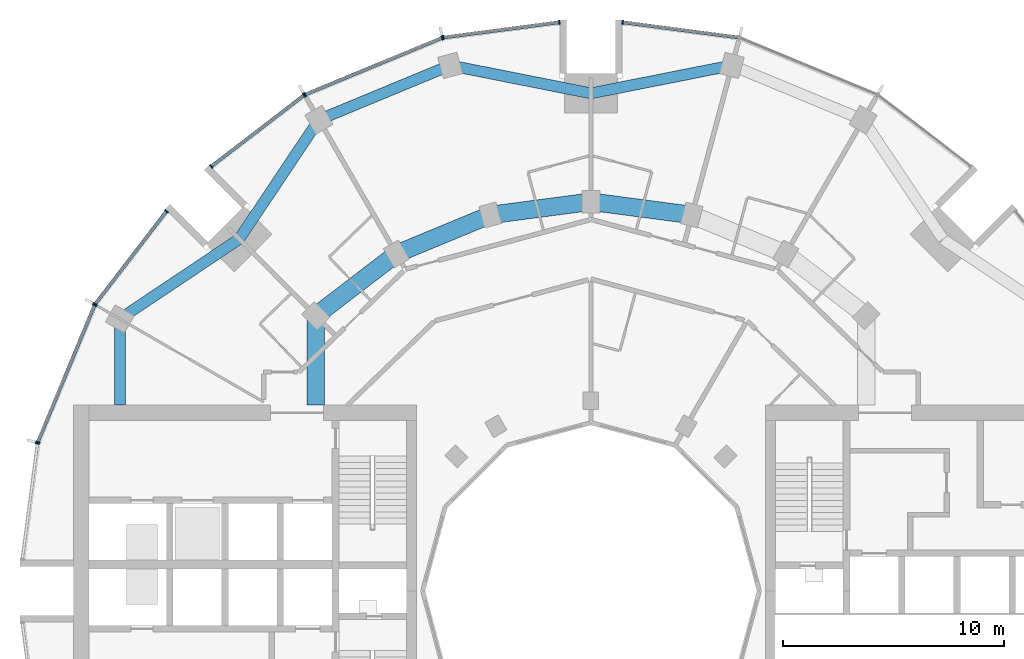
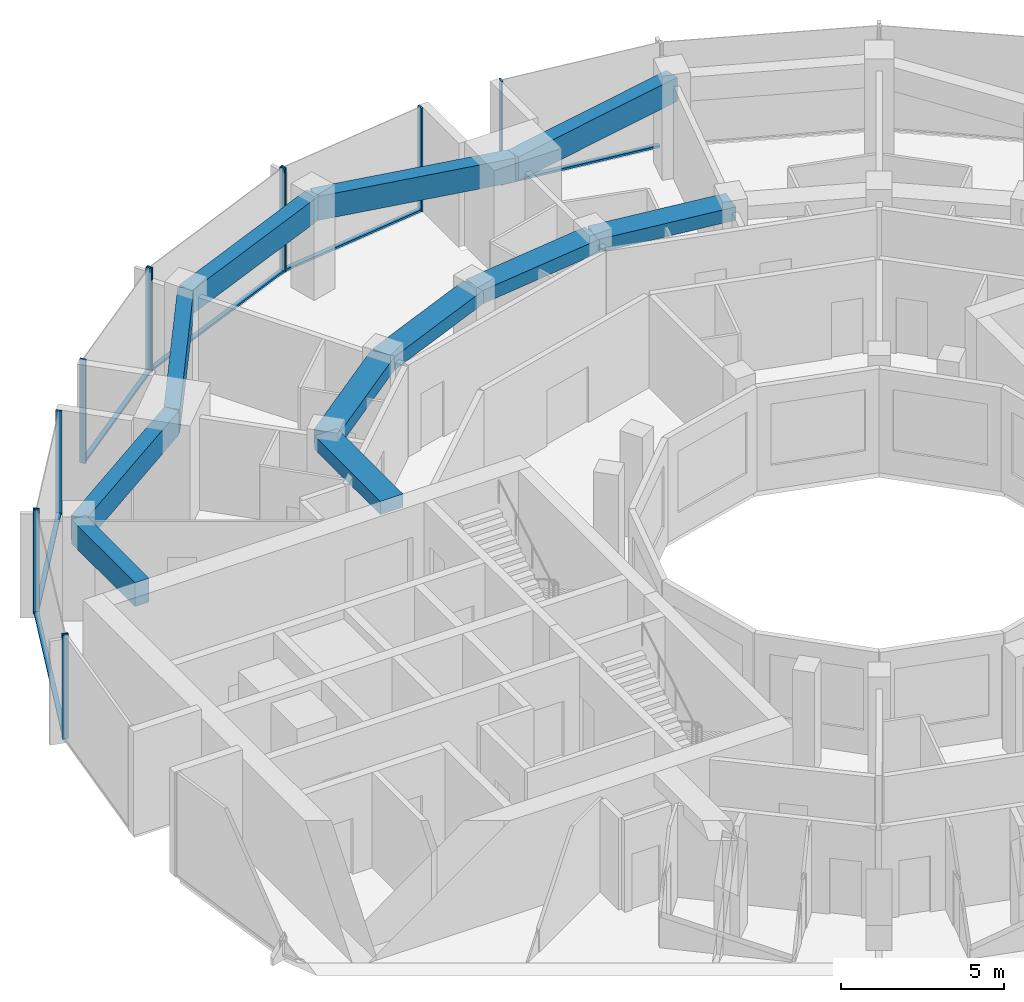
# One storey, part 5 of 15: 18 members, 11 beams, 7 elements without a shape of their own.
"""IFC4 building model written with IfcOpenShell, lengths in metres."""

from ifc_helpers import new_model, si_unit, direction, frame, origin, origin_2d, place, context, subcontext, project, spatial, rectangle, extrude, material, layer, layer_set, material_profile, profile_set, type_object, element, aggregate, save


model = new_model("IFC4")

# Units and contexts
model_context = context("Model", 3, precision=1e-05, world=origin(), true_north=direction((0.0, 1.0)))
body_context = subcontext(model_context, "Body", "Model", "MODEL_VIEW")
ifc_project = project(units=[si_unit("LENGTHUNIT", "METRE"), si_unit("AREAUNIT", "SQUARE_METRE"), si_unit("VOLUMEUNIT", "CUBIC_METRE"), si_unit("PLANEANGLEUNIT", "RADIAN"), si_unit("MASSUNIT", "GRAM", prefix="KILO")], contexts=[model_context])

# Site, building, storey
site_placement = place(None, origin())
site = spatial("IfcSite", under=ifc_project, at=site_placement, CompositionType="ELEMENT")
building_placement = place(site_placement, origin())
building = spatial("IfcBuilding", under=site, at=building_placement, Name="Torre Brocal", CompositionType="ELEMENT")
storey_placement = place(building_placement, frame((0.0, 0.0, 114.60009765625)))
storey = spatial("IfcBuildingStorey", under=building, at=storey_placement, Name="L26", CompositionType="ELEMENT", Elevation=114.60009765625)

# Curtain wall, member
ifc_material_1 = material(Name="Aluminium and glass", Category="aluminium")
ifc_layer_1 = layer(ifc_material_1, 0.199951171875)
ifc_layer_set_1 = layer_set([ifc_layer_1], Name="Aluminium and glass")
curtain_wall_type_1 = type_object("IfcCurtainWallType", Name="CW-1 CURTAIN WALL 3900 HIGH", PredefinedType="NOTDEFINED", material=ifc_layer_set_1)
curtain_wall_1_placement = place(storey_placement, origin())
curtain_wall_1 = element("IfcCurtainWall", 1, at=curtain_wall_1_placement, inside=storey, type_object=curtain_wall_type_1, Name="CW-1 RUN 6", PredefinedType="NOTDEFINED")
ifc_material_2 = material(Name="Aluminium, dark anodised", Category="aluminium")
ifc_material_profile_1 = material_profile(ifc_material_2, rectangle(XDim=0.199951171875, YDim=0.06005859375, at=origin_2d()), Name="CW-1 MULLION 60X200")
ifc_profile_set_1 = profile_set([ifc_material_profile_1], Name="Aluminium, dark anodised")
member_type_1 = type_object("IfcMemberType", Name="CW-1 MULLION 60X200", PredefinedType="MULLION", material=ifc_profile_set_1)
member_1_placement = place(storey_placement, frame((81.4296875, 100.7109375, 0.0), z_axis=(0.0, 0.0, 1.0), x_axis=(-0.13052619222, -0.991444861374, 0.0)))
member_1 = element("IfcMember", 2, at=member_1_placement, type_object=member_type_1, Name="CW1-3 mullion 2", PredefinedType="MULLION", context=body_context, shape_type="SweptSolid", body=[
    extrude(rectangle(XDim=0.199951171875, YDim=0.06005859375, at=origin_2d()), origin(), (0.0, 0.0, 1.0), 3.89990234375),
])

# Curtain wall, members
curtain_wall_2_placement = place(storey_placement, origin())
curtain_wall_2 = element("IfcCurtainWall", 3, at=curtain_wall_2_placement, inside=storey, type_object=curtain_wall_type_1, Name="CW-1 RUN 7", PredefinedType="NOTDEFINED")
member_2_placement = place(storey_placement, frame((78.5703125, 100.7109375, 0.0), z_axis=(0.0, 0.0, 1.0), x_axis=(0.13052619222, -0.991444861374, 0.0)))
member_2 = element("IfcMember", 4, at=member_2_placement, type_object=member_type_1, Name="CW1-3 mullion 1", PredefinedType="MULLION", context=body_context, shape_type="SweptSolid", body=[
    extrude(rectangle(XDim=0.199951171875, YDim=0.06005859375, at=origin_2d()), origin(), (0.0, 0.0, 1.0), 3.89990234375),
])
member_3_placement = place(storey_placement, frame((73.32666015625, 100.0205078125, 0.0), z_axis=(0.0, 0.0, 1.0), x_axis=(0.13052619222, -0.991444861374, 0.0)))
member_3 = element("IfcMember", 5, at=member_3_placement, type_object=member_type_1, Name="CW1-3 mullion 2", PredefinedType="MULLION", context=body_context, shape_type="SweptSolid", body=[
    extrude(rectangle(XDim=0.199951171875, YDim=0.06005859375, at=origin_2d()), origin(), (0.0, 0.0, 1.0), 3.89990234375),
])

curtain_wall_3_placement = place(storey_placement, origin())
curtain_wall_3 = element("IfcCurtainWall", 6, at=curtain_wall_3_placement, inside=storey, type_object=curtain_wall_type_1, Name="CW-1 RUN 8", PredefinedType="NOTDEFINED")
member_4_placement = place(storey_placement, frame((73.26904296875, 100.005126953125, 0.0), z_axis=(0.0, 0.0, 1.0), x_axis=(0.382683432333, -0.923879532525, 0.0)))
member_4 = element("IfcMember", 7, at=member_4_placement, type_object=member_type_1, Name="CW1-3 mullion 1", PredefinedType="MULLION", context=body_context, shape_type="SweptSolid", body=[
    extrude(rectangle(XDim=0.199951171875, YDim=0.06005859375, at=origin_2d()), origin(), (0.0, 0.0, 1.0), 3.89990234375),
])
member_5_placement = place(storey_placement, frame((67.078125, 97.440673828125, 0.0), z_axis=(0.0, 0.0, 1.0), x_axis=(0.382683432333, -0.923879532525, 0.0)))
member_5 = element("IfcMember", 8, at=member_5_placement, type_object=member_type_1, Name="CW1-3 mullion 2", PredefinedType="MULLION", context=body_context, shape_type="SweptSolid", body=[
    extrude(rectangle(XDim=0.199951171875, YDim=0.06005859375, at=origin_2d()), origin(), (0.0, 0.0, 1.0), 3.89990234375),
])

curtain_wall_4_placement = place(storey_placement, origin())
curtain_wall_4 = element("IfcCurtainWall", 9, at=curtain_wall_4_placement, inside=storey, type_object=curtain_wall_type_1, Name="CW-1 RUN 9", PredefinedType="NOTDEFINED")
member_6_placement = place(storey_placement, frame((67.026611328125, 97.4111328125, 0.0), z_axis=(0.0, 0.0, 1.0), x_axis=(0.60876142905, -0.793353340259, 0.0)))
member_6 = element("IfcMember", 10, at=member_6_placement, type_object=member_type_1, Name="CW1-3 mullion 1", PredefinedType="MULLION", context=body_context, shape_type="SweptSolid", body=[
    extrude(rectangle(XDim=0.199951171875, YDim=0.06005859375, at=origin_2d()), origin(), (0.0, 0.0, 1.0), 3.89990234375),
])
member_7_placement = place(storey_placement, frame((62.83056640625, 94.19140625, 0.0), z_axis=(0.0, 0.0, 1.0), x_axis=(0.60876142905, -0.793353340259, 0.0)))
member_7 = element("IfcMember", 11, at=member_7_placement, type_object=member_type_1, Name="CW1-3 mullion 2", PredefinedType="MULLION", context=body_context, shape_type="SweptSolid", body=[
    extrude(rectangle(XDim=0.199951171875, YDim=0.06005859375, at=origin_2d()), origin(), (0.0, 0.0, 1.0), 3.89990234375),
])

curtain_wall_5_placement = place(storey_placement, origin())
curtain_wall_5 = element("IfcCurtainWall", 12, at=curtain_wall_5_placement, inside=storey, type_object=curtain_wall_type_1, Name="CW-1 RUN 10", PredefinedType="NOTDEFINED")
member_8_placement = place(storey_placement, frame((60.80859375, 92.16943359375, 0.0), z_axis=(0.0, 0.0, 1.0), x_axis=(0.793353340259, -0.60876142905, 0.0)))
member_8 = element("IfcMember", 13, at=member_8_placement, type_object=member_type_1, Name="CW1-3 mullion 1", PredefinedType="MULLION", context=body_context, shape_type="SweptSolid", body=[
    extrude(rectangle(XDim=0.199951171875, YDim=0.06005859375, at=origin_2d()), origin(), (0.0, 0.0, 1.0), 3.89990234375),
])
member_9_placement = place(storey_placement, frame((57.5888671875, 87.973388671875, 0.0), z_axis=(0.0, 0.0, 1.0), x_axis=(0.793353340259, -0.60876142905, 0.0)))
member_9 = element("IfcMember", 14, at=member_9_placement, type_object=member_type_1, Name="CW1-3 mullion 2", PredefinedType="MULLION", context=body_context, shape_type="SweptSolid", body=[
    extrude(rectangle(XDim=0.199951171875, YDim=0.06005859375, at=origin_2d()), origin(), (0.0, 0.0, 1.0), 3.89990234375),
])

curtain_wall_6_placement = place(storey_placement, origin())
curtain_wall_6 = element("IfcCurtainWall", 15, at=curtain_wall_6_placement, inside=storey, type_object=curtain_wall_type_1, Name="CW-1 RUN 11", PredefinedType="NOTDEFINED")
member_10_placement = place(storey_placement, frame((57.559326171875, 87.921875, 0.0), z_axis=(0.0, 0.0, 1.0), x_axis=(0.923879532525, -0.382683432333, 0.0)))
member_10 = element("IfcMember", 16, at=member_10_placement, type_object=member_type_1, Name="CW1-3 mullion 1", PredefinedType="MULLION", context=body_context, shape_type="SweptSolid", body=[
    extrude(rectangle(XDim=0.199951171875, YDim=0.06005859375, at=origin_2d()), origin(), (0.0, 0.0, 1.0), 3.89990234375),
])
member_11_placement = place(storey_placement, frame((54.994873046875, 81.73095703125, 0.0), z_axis=(0.0, 0.0, 1.0), x_axis=(0.923879532525, -0.382683432333, 0.0)))
member_11 = element("IfcMember", 17, at=member_11_placement, type_object=member_type_1, Name="CW1-3 mullion 2", PredefinedType="MULLION", context=body_context, shape_type="SweptSolid", body=[
    extrude(rectangle(XDim=0.199951171875, YDim=0.06005859375, at=origin_2d()), origin(), (0.0, 0.0, 1.0), 3.89990234375),
])

# Member
ifc_material_3 = material(Name="Aluminium, dark anodised", Category="aluminium")
ifc_material_profile_2 = material_profile(ifc_material_3, rectangle(XDim=0.159912109375, YDim=0.080078125, at=origin_2d()), Name="CW-1 TRANSOM 160X80")
ifc_profile_set_2 = profile_set([ifc_material_profile_2], Name="Aluminium, dark anodised")
member_type_2 = type_object("IfcMemberType", Name="CW-1 TRANSOM 160X80", PredefinedType="USERDEFINED", material=ifc_profile_set_2)
member_12_placement = place(storey_placement, frame((86.643798828125, 100.0244140625, 0.039794921875), z_axis=(-0.991442690863, 0.130542677827, 0.0), x_axis=(-0.130542677827, -0.991442690863, 0.0)))
member_12 = element("IfcMember", 18, at=member_12_placement, type_object=member_type_2, Name="CW1-3 transom 1.1", ObjectType="TRANSOM", PredefinedType="USERDEFINED", context=body_context, shape_type="SweptSolid", body=[
    extrude(rectangle(XDim=0.159912109375, YDim=0.080078125, at=origin_2d()), origin(), (0.0, 0.0, 1.0), 5.22900390625),
])

aggregate(curtain_wall_1, [member_1, member_12])

member_13_placement = place(storey_placement, frame((78.54052734375, 100.70703125, 0.039794921875), z_axis=(-0.991442690863, -0.130542677827, 0.0), x_axis=(0.130542677827, -0.991442690863, 0.0)))
member_13 = element("IfcMember", 19, at=member_13_placement, type_object=member_type_2, Name="CW1-3 transom 1.1", ObjectType="TRANSOM", PredefinedType="USERDEFINED", context=body_context, shape_type="SweptSolid", body=[
    extrude(rectangle(XDim=0.159912109375, YDim=0.080078125, at=origin_2d()), origin(), (0.0, 0.0, 1.0), 5.22900390625),
])

aggregate(curtain_wall_2, [member_2, member_3, member_13])

member_14_placement = place(storey_placement, frame((73.241455078125, 99.99365234375, 0.039794921875), z_axis=(-0.923887344364, -0.38266457234, 0.0), x_axis=(0.38266457234, -0.923887344364, 0.0)))
member_14 = element("IfcMember", 20, at=member_14_placement, type_object=member_type_2, Name="CW1-3 transom 1.1", ObjectType="TRANSOM", PredefinedType="USERDEFINED", context=body_context, shape_type="SweptSolid", body=[
    extrude(rectangle(XDim=0.159912109375, YDim=0.080078125, at=origin_2d()), origin(), (0.0, 0.0, 1.0), 6.640869140625),
])

aggregate(curtain_wall_3, [member_4, member_5, member_14])

member_15_placement = place(storey_placement, frame((67.0029296875, 97.392822265625, 0.039794921875), z_axis=(-0.79336281513, -0.60874908096, 0.0), x_axis=(0.60874908096, -0.79336281513, 0.0)))
member_15 = element("IfcMember", 21, at=member_15_placement, type_object=member_type_2, Name="CW1-3 transom 1.1", ObjectType="TRANSOM", PredefinedType="USERDEFINED", context=body_context, shape_type="SweptSolid", body=[
    extrude(rectangle(XDim=0.159912109375, YDim=0.080078125, at=origin_2d()), origin(), (0.0, 0.0, 1.0), 5.22900390625),
])

aggregate(curtain_wall_4, [member_6, member_7, member_15])

member_16_placement = place(storey_placement, frame((60.790283203125, 92.1455078125, 0.039794921875), z_axis=(-0.60874908096, -0.79336281513, 0.0), x_axis=(0.79336281513, -0.60874908096, 0.0)))
member_16 = element("IfcMember", 22, at=member_16_placement, type_object=member_type_2, Name="CW1-3 transom 1.1", ObjectType="TRANSOM", PredefinedType="USERDEFINED", context=body_context, shape_type="SweptSolid", body=[
    extrude(rectangle(XDim=0.159912109375, YDim=0.080078125, at=origin_2d()), origin(), (0.0, 0.0, 1.0), 5.22900390625),
])

aggregate(curtain_wall_5, [member_8, member_9, member_16])

member_17_placement = place(storey_placement, frame((57.547607421875, 87.89404296875, 0.039794921875), z_axis=(-0.38266457234, -0.923887344364, 0.0), x_axis=(0.923887344364, -0.38266457234, 0.0)))
member_17 = element("IfcMember", 23, at=member_17_placement, type_object=member_type_2, Name="CW1-3 transom 1.1", ObjectType="TRANSOM", PredefinedType="USERDEFINED", context=body_context, shape_type="SweptSolid", body=[
    extrude(rectangle(XDim=0.159912109375, YDim=0.080078125, at=origin_2d()), origin(), (0.0, 0.0, 1.0), 6.640869140625),
])

aggregate(curtain_wall_6, [member_10, member_11, member_17])

# Curtain wall, member
ifc_material_4 = material(Name="Aluminium and glass", Category="aluminium")
ifc_layer_2 = layer(ifc_material_4, 0.199951171875)
ifc_layer_set_2 = layer_set([ifc_layer_2], Name="Aluminium and glass")
curtain_wall_type_2 = type_object("IfcCurtainWallType", Name="CW-1B CURTAIN WALL 3900 HIGH", PredefinedType="NOTDEFINED", material=ifc_layer_set_2)
curtain_wall_7_placement = place(storey_placement, origin())
curtain_wall_7 = element("IfcCurtainWall", 24, at=curtain_wall_7_placement, inside=storey, type_object=curtain_wall_type_2, Name="CW-1B RUN 12", PredefinedType="NOTDEFINED")
ifc_material_5 = material(Name="Aluminium, dark anodised", Category="aluminium")
ifc_material_profile_3 = material_profile(ifc_material_5, rectangle(XDim=0.199951171875, YDim=0.06005859375, at=origin_2d()), Name="CW-1B MULLION 60X200")
ifc_profile_set_3 = profile_set([ifc_material_profile_3], Name="Aluminium, dark anodised")
member_type_3 = type_object("IfcMemberType", Name="CW-1B MULLION 60X200", PredefinedType="MULLION", material=ifc_profile_set_3)
member_18_placement = place(storey_placement, frame((54.9794921875, 81.67333984375, 0.0), z_axis=(0.0, 0.0, 1.0), x_axis=(0.991444861374, -0.13052619222, 0.0)))
member_18 = element("IfcMember", 25, at=member_18_placement, type_object=member_type_3, Name="CW1B-3 mullion 1", PredefinedType="MULLION", context=body_context, shape_type="SweptSolid", body=[
    extrude(rectangle(XDim=0.199951171875, YDim=0.06005859375, at=origin_2d()), origin(), (0.0, 0.0, 1.0), 3.89990234375),
])
aggregate(curtain_wall_7, [member_18])

# Beams
ifc_material_6 = material(Name="Concrete C50", Category="concrete")
ifc_material_profile_4 = material_profile(ifc_material_6, rectangle(XDim=0.800048828125, YDim=0.5, at=origin_2d()), Name="RC 800X500")
ifc_profile_set_4 = profile_set([ifc_material_profile_4], Name="Concrete C50")
beam_type_1 = type_object("IfcBeamType", Name="RC BEAM 800X500 C50 TOP 3580", PredefinedType="BEAM", material=ifc_profile_set_4)
for number, where, z_axis, x_axis, name in (
    (26, (84.55517578125, 92.000244140625, 3.329833984375), (-0.991440544449, 0.130558978332, 0.0), (-0.130558978332, -0.991440544449, 0.0), "Beam BT-28"),
    (27, (80.0, 92.60009765625, 3.329833984375), (-0.991440544449, -0.130558978332, 0.0), (0.130558978332, -0.991440544449, 0.0), "Beam BT-28"),
):
    element("IfcBeam", number, at=place(storey_placement, frame(where, z_axis=z_axis, x_axis=x_axis)), inside=storey, type_object=beam_type_1, Name=name, PredefinedType="BEAM", context=body_context, shape_type="SweptSolid", body=[
        extrude(rectangle(XDim=0.800048828125, YDim=0.5, at=origin_2d()), origin(), (0.0, 0.0, 1.0), 4.594482421875),
    ])
beam_1_placement = place(storey_placement, frame((75.44482421875, 92.000244140625, 3.329833984375), z_axis=(-0.923878240166, -0.382686552348, 0.0), x_axis=(0.382686552348, -0.923878240166, 0.0)))
element("IfcBeam", 28, at=beam_1_placement, inside=storey, type_object=beam_type_1, Name="Beam BT-28", PredefinedType="BEAM", context=body_context, shape_type="SweptSolid", body=[
    extrude(rectangle(XDim=0.800048828125, YDim=0.5, at=origin_2d()), origin(), (0.0, 0.0, 1.0), 4.5947265625),
])
beam_2_placement = place(storey_placement, frame((71.199951171875, 90.241943359375, 3.329833984375), z_axis=(-0.793358265959, -0.6087550097, 0.0), x_axis=(0.6087550097, -0.793358265959, 0.0)))
element("IfcBeam", 29, at=beam_2_placement, inside=storey, type_object=beam_type_1, Name="Beam BT-28", PredefinedType="BEAM", context=body_context, shape_type="SweptSolid", body=[
    extrude(rectangle(XDim=0.800048828125, YDim=0.5, at=origin_2d()), origin(), (0.0, 0.0, 1.0), 4.594482421875),
])
beam_3_placement = place(storey_placement, frame((67.554931640625, 87.445068359375, 3.329833984375), z_axis=(0.0, -1.0, 0.0), x_axis=(1.0, 0.0, 0.0)))
element("IfcBeam", 30, at=beam_3_placement, inside=storey, type_object=beam_type_1, Name="Beam BT-28", PredefinedType="BEAM", context=body_context, shape_type="SweptSolid", body=[
    extrude(rectangle(XDim=0.800048828125, YDim=0.5, at=origin_2d()), origin(), (0.0, 0.0, 1.0), 4.045166015625),
])
ifc_material_7 = material(Name="Concrete C50", Category="concrete")
ifc_material_profile_5 = material_profile(ifc_material_7, rectangle(XDim=0.5, YDim=0.89990234375, at=origin_2d()), Name="RC 500X900")
ifc_profile_set_5 = profile_set([ifc_material_profile_5], Name="Concrete C50")
beam_type_2 = type_object("IfcBeamType", Name="RC SPANDREL BEAM 500X900 C50 TOP 3580", PredefinedType="SPANDREL", material=ifc_profile_set_5)
for number, where, z_axis, x_axis, name in (
    (31, (86.366943359375, 98.76171875, 3.1298828125), (-0.980924907484, -0.194387051723, 0.0), (0.194387051723, -0.980924907484, 0.0), "Beam BT-29"),
    (32, (80.0, 97.5, 3.1298828125), (-0.980924907484, 0.194387051723, 0.0), (-0.194387051723, -0.980924907484, 0.0), "Beam BT-29"),
):
    element("IfcBeam", number, at=place(storey_placement, frame(where, z_axis=z_axis, x_axis=x_axis)), inside=storey, type_object=beam_type_2, Name=name, PredefinedType="SPANDREL", context=body_context, shape_type="SweptSolid", body=[
        extrude(rectangle(XDim=0.5, YDim=0.89990234375, at=origin_2d()), origin(), (0.0, 0.0, 1.0), 6.49072265625),
    ])
beam_4_placement = place(storey_placement, frame((73.633056640625, 98.76171875, 3.1298828125), z_axis=(-0.923882462513, -0.382676358639, 0.0), x_axis=(0.382676358639, -0.923882462513, 0.0)))
element("IfcBeam", 33, at=beam_4_placement, inside=storey, type_object=beam_type_2, Name="Beam BT-29", PredefinedType="SPANDREL", context=body_context, shape_type="SweptSolid", body=[
    extrude(rectangle(XDim=0.5, YDim=0.89990234375, at=origin_2d()), origin(), (0.0, 0.0, 1.0), 6.421875),
])
for number, where, z_axis, x_axis, name in (
    (34, (67.699951171875, 96.30419921875, 3.1298828125), (-0.556157602282, -0.831076844476, 0.0), (0.831076844476, -0.556157602282, 0.0), "Beam BT-29"),
    (35, (64.090087890625, 90.909912109375, 3.1298828125), (-0.831076844476, -0.556157602282, 0.0), (0.556157602282, -0.831076844476, 0.0), "Beam BT-29"),
):
    element("IfcBeam", number, at=place(storey_placement, frame(where, z_axis=z_axis, x_axis=x_axis)), inside=storey, type_object=beam_type_2, Name=name, PredefinedType="SPANDREL", context=body_context, shape_type="SweptSolid", body=[
        extrude(rectangle(XDim=0.5, YDim=0.89990234375, at=origin_2d()), origin(), (0.0, 0.0, 1.0), 6.49072265625),
    ])
beam_5_placement = place(storey_placement, frame((58.69580078125, 87.300048828125, 3.1298828125), z_axis=(0.0, -1.0, 0.0), x_axis=(1.0, 0.0, 0.0)))
element("IfcBeam", 36, at=beam_5_placement, inside=storey, type_object=beam_type_2, Name="Beam BT-29", PredefinedType="SPANDREL", context=body_context, shape_type="SweptSolid", body=[
    extrude(rectangle(XDim=0.5, YDim=0.89990234375, at=origin_2d()), origin(), (0.0, 0.0, 1.0), 3.900146484375),
])

save(model, "model.ifc")
